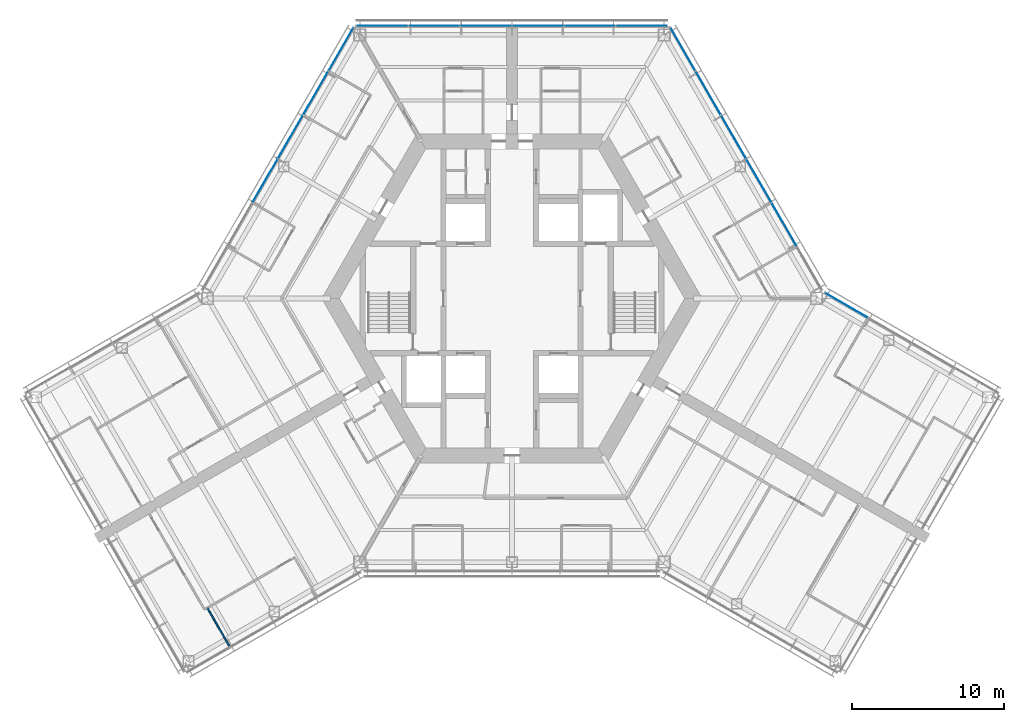
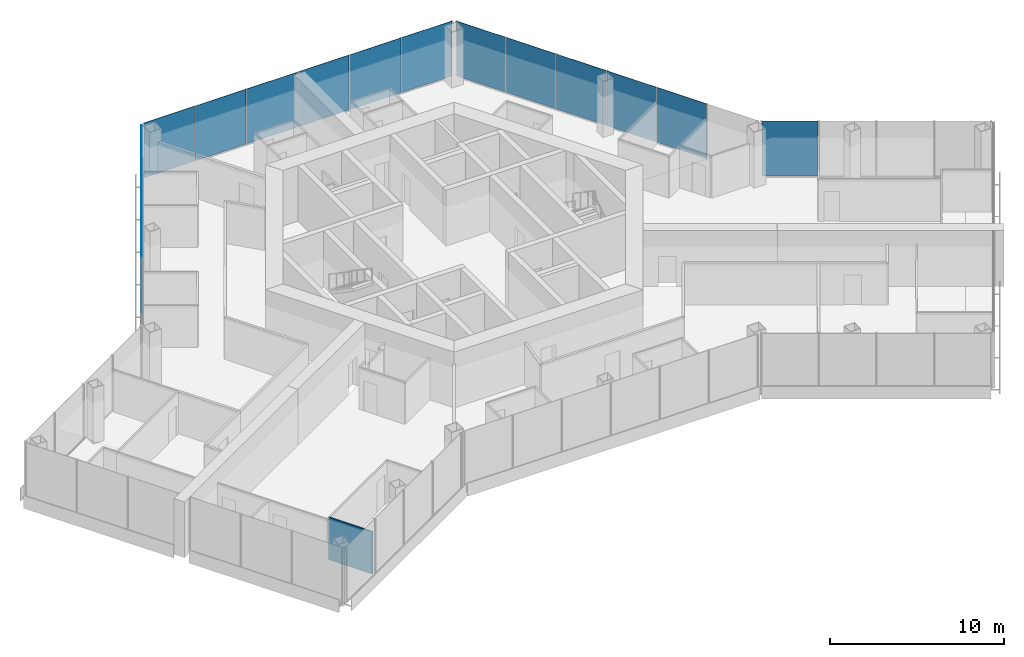
# One storey, part 11 of 18: 16 plates, 1 wall, 4 elements without a shape of their own.
"""IFC4 building model written with IfcOpenShell, lengths in metres."""

from ifc_helpers import new_model, si_unit, direction, frame, frame_2d, origin, origin_2d, place, context, subcontext, project, spatial, rectangle, extrude, material, layer, layer_set, type_object, element, aggregate, save


model = new_model("IFC4")

# Units and contexts
model_context = context("Model", 3, precision=1e-05, world=origin(), true_north=direction((0.0, 1.0)))
body_context = subcontext(model_context, "Body", "Model", "MODEL_VIEW")
ifc_project = project(units=[si_unit("LENGTHUNIT", "METRE"), si_unit("AREAUNIT", "SQUARE_METRE"), si_unit("VOLUMEUNIT", "CUBIC_METRE"), si_unit("PLANEANGLEUNIT", "RADIAN"), si_unit("MASSUNIT", "GRAM", prefix="KILO")], contexts=[model_context])

# Site, building, storey
site_placement = place(None, origin())
site = spatial("IfcSite", under=ifc_project, at=site_placement, CompositionType="ELEMENT")
building_placement = place(site_placement, origin())
building = spatial("IfcBuilding", under=site, at=building_placement, Name="Kasaneha Research Tower", CompositionType="ELEMENT")
storey_placement = place(building_placement, frame((0.0, 0.0, 183.800048828125)))
storey = spatial("IfcBuildingStorey", under=building, at=storey_placement, Name="L46", CompositionType="ELEMENT", Elevation=183.800048828125)

# Curtain wall, plate
ifc_material_1 = material(Name="Glass and aluminium", Category="aluminium")
curtain_wall_type = type_object("IfcCurtainWallType", Name="Mid-rise office curtain wall", PredefinedType="USERDEFINED", material=ifc_material_1)
curtain_wall_1_placement = place(storey_placement, origin())
curtain_wall_1 = element("IfcCurtainWall", 1, at=curtain_wall_1_placement, inside=storey, type_object=curtain_wall_type, Name="CW-O2 L46 run 05a", ObjectType="UNITISED CURTAIN WALL", PredefinedType="USERDEFINED")
ifc_material_2 = material(Name="Laminated double glazing", Category="glass")
ifc_layer_1 = layer(ifc_material_2, 0.02587890625)
ifc_layer_set_1 = layer_set([ifc_layer_1], Name="CW-O2 glazed panel")
plate_type = type_object("IfcPlateType", Name="CW-O2 glazed panel", PredefinedType="CURTAIN_PANEL", material=ifc_layer_set_1)
plate_1_placement = place(storey_placement, frame((21.971923828125, -0.44580078125, 0.06005859375), z_axis=(0.0, 0.0, 1.0), x_axis=(-0.866025411464, 0.499999986699, 0.0)))
plate_1 = element("IfcPlate", 2, at=plate_1_placement, type_object=plate_type, Name="CW-O2 panel 4", PredefinedType="CURTAIN_PANEL", context=body_context, shape_type="SweptSolid", body=[
    extrude(rectangle(XDim=3.2197265625, YDim=0.02587890625, at=origin_2d()), origin(), (0.0, 0.0, 1.0), 3.840087890625),
])
aggregate(curtain_wall_1, [plate_1])

# Curtain wall, plates
curtain_wall_2_placement = place(storey_placement, origin())
curtain_wall_2 = element("IfcCurtainWall", 3, at=curtain_wall_2_placement, inside=storey, type_object=curtain_wall_type, Name="CW-O2 L46 run 06a", ObjectType="UNITISED CURTAIN WALL", PredefinedType="USERDEFINED")
plate_2_placement = place(storey_placement, frame((17.89111328125, 4.852783203125, 0.06005859375), z_axis=(0.0, 0.0, 1.0), x_axis=(-0.499999979232, 0.866025415775, 0.0)))
plate_2 = element("IfcPlate", 4, at=plate_2_placement, type_object=plate_type, Name="CW-O2 panel 2", PredefinedType="CURTAIN_PANEL", context=body_context, shape_type="SweptSolid", body=[
    extrude(rectangle(XDim=3.27099609375, YDim=0.02587890625, at=origin_2d()), origin(), (0.0, 0.0, 1.0), 3.840087890625),
])
plate_3_placement = place(storey_placement, frame((16.2255859375, 7.737548828125, 0.06005859375), z_axis=(0.0, 0.0, 1.0), x_axis=(-0.499999979232, 0.866025415775, 0.0)))
plate_3 = element("IfcPlate", 5, at=plate_3_placement, type_object=plate_type, Name="CW-O2 panel 3", PredefinedType="CURTAIN_PANEL", context=body_context, shape_type="SweptSolid", body=[
    extrude(rectangle(XDim=3.27099609375, YDim=0.02587890625, at=origin_2d()), origin(), (0.0, 0.0, 1.0), 3.840087890625),
])
plate_4_placement = place(storey_placement, frame((14.56005859375, 10.622314453125, 0.06005859375), z_axis=(0.0, 0.0, 1.0), x_axis=(-0.499999979232, 0.866025415775, 0.0)))
plate_4 = element("IfcPlate", 6, at=plate_4_placement, type_object=plate_type, Name="CW-O2 panel 4", PredefinedType="CURTAIN_PANEL", context=body_context, shape_type="SweptSolid", body=[
    extrude(rectangle(XDim=3.27099609375, YDim=0.02587890625, at=origin_2d()), origin(), (0.0, 0.0, 1.0), 3.840087890625),
])
plate_5_placement = place(storey_placement, frame((12.89453125, 13.5068359375, 0.06005859375), z_axis=(0.0, 0.0, 1.0), x_axis=(-0.499999979232, 0.866025415775, 0.0)))
plate_5 = element("IfcPlate", 7, at=plate_5_placement, type_object=plate_type, Name="CW-O2 panel 5", PredefinedType="CURTAIN_PANEL", context=body_context, shape_type="SweptSolid", body=[
    extrude(rectangle(XDim=3.27099609375, YDim=0.02587890625, at=origin_2d()), origin(), (0.0, 0.0, 1.0), 3.840087890625),
])
plate_6_placement = place(storey_placement, frame((11.236572265625, 16.378662109375, 0.06005859375), z_axis=(0.0, 0.0, 1.0), x_axis=(-0.499999979232, 0.866025415775, 0.0)))
plate_6 = element("IfcPlate", 8, at=plate_6_placement, type_object=plate_type, Name="CW-O2 panel 6", PredefinedType="CURTAIN_PANEL", context=body_context, shape_type="SweptSolid", body=[
    extrude(rectangle(XDim=3.240966796875, YDim=0.02587890625, at=origin_2d()), origin(), (0.0, 0.0, 1.0), 3.840087890625),
])
aggregate(curtain_wall_2, [plate_2, plate_3, plate_4, plate_5, plate_6])

curtain_wall_3_placement = place(storey_placement, origin())
curtain_wall_3 = element("IfcCurtainWall", 9, at=curtain_wall_3_placement, inside=storey, type_object=curtain_wall_type, Name="CW-O2 L46 run 07a", ObjectType="UNITISED CURTAIN WALL", PredefinedType="USERDEFINED")
plate_7_placement = place(storey_placement, frame((8.523681640625, 17.92041015625, 0.06005859375), z_axis=(0.0, 0.0, 1.0), x_axis=(-1.0, 0.0, 0.0)))
plate_7 = element("IfcPlate", 10, at=plate_7_placement, type_object=plate_type, Name="CW-O2 panel 1", PredefinedType="CURTAIN_PANEL", context=body_context, shape_type="SweptSolid", body=[
    extrude(rectangle(XDim=3.325439453125, YDim=0.02587890625, at=origin_2d()), origin(), (0.0, 0.0, 1.0), 3.840087890625),
])
plate_8_placement = place(storey_placement, frame((5.123291015625, 17.92041015625, 0.06005859375), z_axis=(0.0, 0.0, 1.0), x_axis=(-1.0, 0.0, 0.0)))
plate_8 = element("IfcPlate", 11, at=plate_8_placement, type_object=plate_type, Name="CW-O2 panel 2", PredefinedType="CURTAIN_PANEL", context=body_context, shape_type="SweptSolid", body=[
    extrude(rectangle(XDim=3.35546875, YDim=0.02587890625, at=origin_2d()), origin(), (0.0, 0.0, 1.0), 3.840087890625),
])
plate_9_placement = place(storey_placement, frame((1.707763671875, 17.92041015625, 0.06005859375), z_axis=(0.0, 0.0, 1.0), x_axis=(-1.0, 0.0, 0.0)))
plate_9 = element("IfcPlate", 12, at=plate_9_placement, type_object=plate_type, Name="CW-O2 panel 3", PredefinedType="CURTAIN_PANEL", context=body_context, shape_type="SweptSolid", body=[
    extrude(rectangle(XDim=3.35546875, YDim=0.02587890625, at=origin_2d()), origin(), (0.0, 0.0, 1.0), 3.840087890625),
])
plate_10_placement = place(storey_placement, frame((-1.707763671875, 17.92041015625, 0.06005859375), z_axis=(0.0, 0.0, 1.0), x_axis=(-1.0, 0.0, 0.0)))
plate_10 = element("IfcPlate", 13, at=plate_10_placement, type_object=plate_type, Name="CW-O2 panel 4", PredefinedType="CURTAIN_PANEL", context=body_context, shape_type="SweptSolid", body=[
    extrude(rectangle(XDim=3.35546875, YDim=0.02587890625, at=origin_2d()), origin(), (0.0, 0.0, 1.0), 3.840087890625),
])
plate_11_placement = place(storey_placement, frame((-5.123291015625, 17.92041015625, 0.06005859375), z_axis=(0.0, 0.0, 1.0), x_axis=(-1.0, 0.0, 0.0)))
plate_11 = element("IfcPlate", 14, at=plate_11_placement, type_object=plate_type, Name="CW-O2 panel 5", PredefinedType="CURTAIN_PANEL", context=body_context, shape_type="SweptSolid", body=[
    extrude(rectangle(XDim=3.35546875, YDim=0.02587890625, at=origin_2d()), origin(), (0.0, 0.0, 1.0), 3.840087890625),
])
plate_12_placement = place(storey_placement, frame((-8.523681640625, 17.92041015625, 0.06005859375), z_axis=(0.0, 0.0, 1.0), x_axis=(-1.0, 0.0, 0.0)))
plate_12 = element("IfcPlate", 15, at=plate_12_placement, type_object=plate_type, Name="CW-O2 panel 6", PredefinedType="CURTAIN_PANEL", context=body_context, shape_type="SweptSolid", body=[
    extrude(rectangle(XDim=3.325439453125, YDim=0.02587890625, at=origin_2d()), origin(), (0.0, 0.0, 1.0), 3.840087890625),
])
aggregate(curtain_wall_3, [plate_7, plate_8, plate_9, plate_10, plate_11, plate_12])

curtain_wall_4_placement = place(storey_placement, origin())
curtain_wall_4 = element("IfcCurtainWall", 16, at=curtain_wall_4_placement, inside=storey, type_object=curtain_wall_type, Name="CW-O2 L46 run 08a", ObjectType="UNITISED CURTAIN WALL", PredefinedType="USERDEFINED")
plate_13_placement = place(storey_placement, frame((-11.236572265625, 16.378662109375, 0.06005859375), z_axis=(0.0, 0.0, 1.0), x_axis=(-0.499999979232, -0.866025415775, 0.0)))
plate_13 = element("IfcPlate", 17, at=plate_13_placement, type_object=plate_type, Name="CW-O2 panel 1", PredefinedType="CURTAIN_PANEL", context=body_context, shape_type="SweptSolid", body=[
    extrude(rectangle(XDim=3.240966796875, YDim=0.02587890625, at=origin_2d()), origin(), (0.0, 0.0, 1.0), 3.840087890625),
])
plate_14_placement = place(storey_placement, frame((-12.89453125, 13.5068359375, 0.06005859375), z_axis=(0.0, 0.0, 1.0), x_axis=(-0.499999979232, -0.866025415775, 0.0)))
plate_14 = element("IfcPlate", 18, at=plate_14_placement, type_object=plate_type, Name="CW-O2 panel 2", PredefinedType="CURTAIN_PANEL", context=body_context, shape_type="SweptSolid", body=[
    extrude(rectangle(XDim=3.27099609375, YDim=0.02587890625, at=origin_2d()), origin(), (0.0, 0.0, 1.0), 3.840087890625),
])
plate_15_placement = place(storey_placement, frame((-14.56005859375, 10.622314453125, 0.06005859375), z_axis=(0.0, 0.0, 1.0), x_axis=(-0.499999979232, -0.866025415775, 0.0)))
plate_15 = element("IfcPlate", 19, at=plate_15_placement, type_object=plate_type, Name="CW-O2 panel 3", PredefinedType="CURTAIN_PANEL", context=body_context, shape_type="SweptSolid", body=[
    extrude(rectangle(XDim=3.27099609375, YDim=0.02587890625, at=origin_2d()), origin(), (0.0, 0.0, 1.0), 3.840087890625),
])
plate_16_placement = place(storey_placement, frame((-16.2255859375, 7.737548828125, 0.06005859375), z_axis=(0.0, 0.0, 1.0), x_axis=(-0.499999979232, -0.866025415775, 0.0)))
plate_16 = element("IfcPlate", 20, at=plate_16_placement, type_object=plate_type, Name="CW-O2 panel 4", PredefinedType="CURTAIN_PANEL", context=body_context, shape_type="SweptSolid", body=[
    extrude(rectangle(XDim=3.27099609375, YDim=0.02587890625, at=origin_2d()), origin(), (0.0, 0.0, 1.0), 3.840087890625),
])
aggregate(curtain_wall_4, [plate_13, plate_14, plate_15, plate_16])

# Wall
ifc_material_3 = material(Name="Gypsum board on steel studs, one layer each side", Category="steel")
ifc_layer_2 = layer(ifc_material_3, 0.10009765625)
ifc_layer_set_2 = layer_set([ifc_layer_2], Name="Office partition 100")
wall_type = type_object("IfcWallType", Name="Office partition 100", PredefinedType="PARTITIONING", material=ifc_layer_set_2)
wall_placement = place(storey_placement, frame((-18.5849609375, -22.831298828125, 0.0), z_axis=(0.0, 0.0, 1.0), x_axis=(-0.498373965927, 0.866962161854, 0.0)))
element("IfcWall", 21, at=wall_placement, inside=storey, type_object=wall_type, Name="Office partition FBS06 L46", PredefinedType="PARTITIONING", context=body_context, shape_type="SweptSolid", body=[
    extrude(rectangle(XDim=2.8798828125, YDim=0.10009765625, at=frame_2d((1.43994140625, 0.0))), origin(), (0.0, 0.0, 1.0), 2.949951171875),
])

save(model, "model.ifc")
